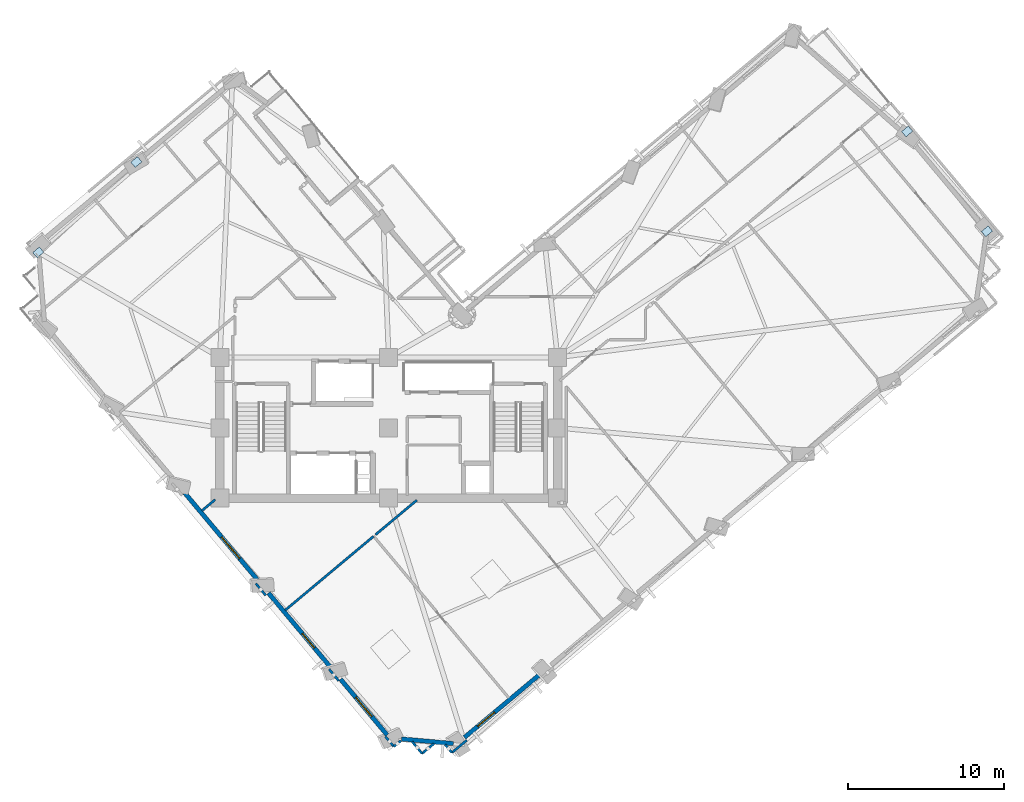
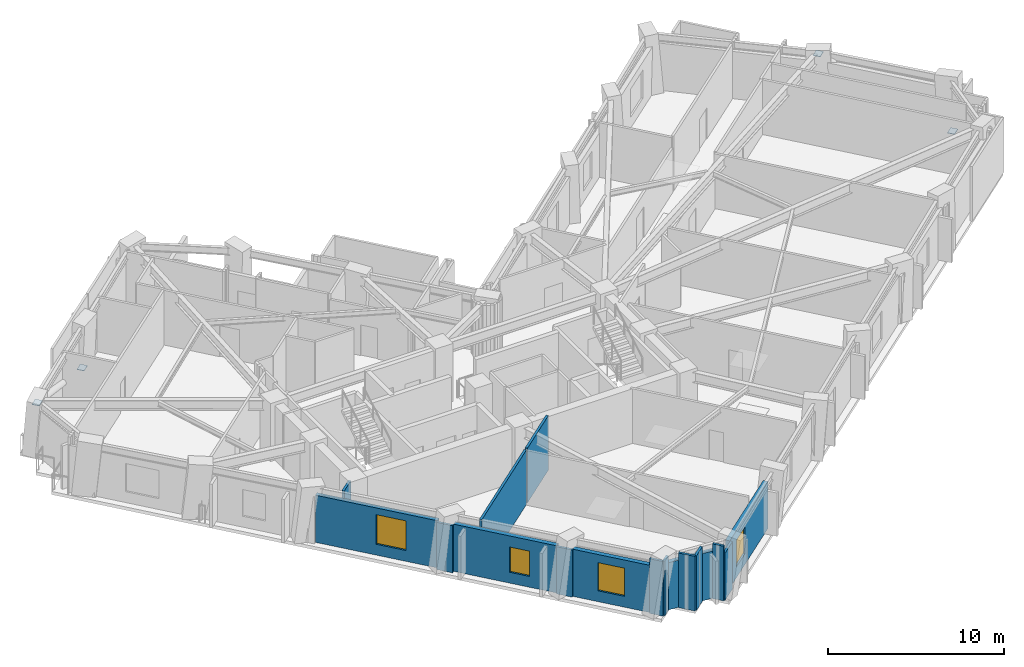
# One storey, part 5 of 14: 16 walls, 4 plates, 4 windows, 4 openings.
"""IFC4 building model written with IfcOpenShell, lengths in metres."""

from ifc_helpers import new_model, si_unit, direction, frame, frame_2d, origin, origin_2d, place, context, subcontext, project, spatial, rectangle, extrude, material, layer, layer_set, type_object, element, fill, save


model = new_model("IFC4")

# Units and contexts
model_context = context("Model", 3, precision=1e-05, world=origin(), true_north=direction((0.0, 1.0)))
body_context = subcontext(model_context, "Body", "Model", "MODEL_VIEW")
ifc_project = project(units=[si_unit("LENGTHUNIT", "METRE"), si_unit("AREAUNIT", "SQUARE_METRE"), si_unit("VOLUMEUNIT", "CUBIC_METRE"), si_unit("PLANEANGLEUNIT", "RADIAN"), si_unit("MASSUNIT", "GRAM", prefix="KILO")], contexts=[model_context])

# Site, building, storey
site_placement = place(None, origin())
site = spatial("IfcSite", under=ifc_project, at=site_placement, CompositionType="ELEMENT")
building_placement = place(site_placement, origin())
building = spatial("IfcBuilding", under=site, at=building_placement, Name="Gaonmaruhae Medical Tower", CompositionType="ELEMENT")
storey_placement = place(building_placement, frame((0.0, 0.0, 193.800048828125)))
storey = spatial("IfcBuildingStorey", under=building, at=storey_placement, Name="L46", CompositionType="ELEMENT", Elevation=193.800048828125)

# Plates
ifc_material_1 = material(Name="Steel HSA650 (650 MPa)", Category="steel")
ifc_layer_1 = layer(ifc_material_1, 0.028076171875)
ifc_layer_set_1 = layer_set([ifc_layer_1], Name="Steel HSA650 (650 MPa)")
plate_type = type_object("IfcPlateType", Name="GP-02 Tube Brace End Cap Gusset Plate", PredefinedType="USERDEFINED", material=ifc_layer_set_1)
for number, where, z_axis, x_axis, name in (
    (1, (63.067626953125, 24.86767578125, 0.23583984375), (0.0, 0.0, 1.0), (0.767165151815, 0.641449631569, 0.0), "L46 Gusset Cap Plate PLT-L46-PBR-E01A"),
    (2, (57.960693359375, 31.25634765625, 3.51611328125), (0.0, 0.0, 1.0), (0.756424550435, 0.654080957909, 0.0), "L46 Gusset Cap Plate PLT-L46-PBR-E01B"),
    (3, (8.657470703125, 29.2978515625, 0.23583984375), (0.0, 0.0, 1.0), (0.767165151815, 0.641449631569, 0.0), "L46 Gusset Cap Plate PLT-L46-PBR-N02A"),
    (4, (2.383544921875, 23.520263671875, 3.51611328125), (0.0, 0.0, 1.0), (0.756424550435, 0.654080957909, 0.0), "L46 Gusset Cap Plate PLT-L46-PBR-N02B"),
):
    element("IfcPlate", number, at=place(storey_placement, frame(where, z_axis=z_axis, x_axis=x_axis)), inside=storey, type_object=plate_type, Name=name, ObjectType="GUSSET_PLATE", PredefinedType="USERDEFINED", context=body_context, shape_type="SweptSolid", body=[
        extrude(rectangle(XDim=0.56005859375, YDim=0.43994140625, at=origin_2d()), origin(), (0.0, 0.0, 1.0), 0.028076171875),
    ])

# Wall, opening, window
ifc_material_2 = material(Name="Precast concrete C45/55", Category="concrete")
ifc_layer_2 = layer(ifc_material_2, 0.280029296875)
ifc_layer_set_2 = layer_set([ifc_layer_2], Name="Precast concrete C45/55")
wall_type_1 = type_object("IfcWallType", Name="EW-280 Upper Precast Masonry-Frame Facade Wall", PredefinedType="SOLIDWALL", material=ifc_layer_set_2)
wall_1_placement = place(storey_placement, frame((34.454345703125, -3.488525390625, 0.0), z_axis=(0.0, 0.0, 1.0), x_axis=(-0.76717337167, -0.641439800605, 0.0)))
wall_1 = element("IfcWall", 5, at=wall_1_placement, inside=storey, type_object=wall_type_1, Name="L46 Precast Masonry-Frame Wall S01-S02", PredefinedType="SOLIDWALL", context=body_context, shape_type="SweptSolid", body=[
    extrude(rectangle(XDim=6.269775390625, YDim=0.280029296875, at=frame_2d((3.134765625, 0.0))), origin(), (0.0, 0.0, 1.0), 3.264892578125),
])
opening_1_placement = place(wall_1_placement, frame((3.76416015625, 0.0, 0.75)))
opening_1 = element("IfcOpeningElement", 6, at=opening_1_placement, cuts=wall_1, Name="Opening WN-03", PredefinedType="OPENING", context=body_context, shape_type="SweptSolid", body=[
    extrude(rectangle(XDim=1.39990234375, YDim=1.85009765625, at=frame_2d((0.699951171875, 0.925048828125))), frame((0.0, 0.14990234375, 0.0), z_axis=(0.0, -1.0, 0.0), x_axis=(1.0, 0.0, 0.0)), (0.0, 0.0, 1.0), 0.300048828125),
])
ifc_material_3 = material(Name="Anodised aluminium and Low-E double glazing", Category="aluminium")
window_type_1 = type_object("IfcWindowType", Name="WN-03 Isolation Ward Punched Window 1400x1850", PartitioningType="SINGLE_PANEL", PredefinedType="WINDOW", material=ifc_material_3)
window_1_placement = place(opening_1_placement, origin())
window_1 = element("IfcWindow", 7, at=window_1_placement, inside=storey, type_object=window_type_1, Name="L46 Modular Facade Window S01", OverallHeight=1.85009765625, OverallWidth=1.39990234375, PartitioningType="SINGLE_PANEL", PredefinedType="WINDOW", context=body_context, shape_type="SweptSolid", body=[
    extrude(rectangle(XDim=1.39990234375, YDim=1.85009765625, at=frame_2d((0.699951171875, 0.925048828125))), frame((0.0, 0.030029296875, 0.0), z_axis=(0.0, -1.0, 0.0), x_axis=(1.0, 0.0, 0.0)), (0.0, 0.0, 1.0), 0.06005859375),
])
fill(opening_1, window_1)

wall_2_placement = place(storey_placement, frame((16.475830078125, 2.486572265625, 0.0), z_axis=(0.0, 0.0, 1.0), x_axis=(-0.641449443944, 0.767165308694, 0.0)))
wall_2 = element("IfcWall", 8, at=wall_2_placement, inside=storey, type_object=wall_type_1, Name="L46 Precast Masonry-Frame Wall W03-W04", PredefinedType="SOLIDWALL", context=body_context, shape_type="SweptSolid", body=[
    extrude(rectangle(XDim=7.360107421875, YDim=0.280029296875, at=frame_2d((3.68017578125, 0.0))), origin(), (0.0, 0.0, 1.0), 3.264892578125),
])
opening_2_placement = place(wall_2_placement, frame((1.8876953125, 0.0, 0.75)))
opening_2 = element("IfcOpeningElement", 9, at=opening_2_placement, cuts=wall_2, Name="Opening WN-04", PredefinedType="OPENING", context=body_context, shape_type="SweptSolid", body=[
    extrude(rectangle(XDim=1.800048828125, YDim=2.050048828125, at=frame_2d((0.89990234375, 1.02490234375))), frame((0.0, 0.14990234375, 0.0), z_axis=(0.0, -1.0, 0.0), x_axis=(1.0, 0.0, 0.0)), (0.0, 0.0, 1.0), 0.300048828125),
])
window_type_2 = type_object("IfcWindowType", Name="WN-04 Clinic & Consult Punched Window 1800x2050", PartitioningType="SINGLE_PANEL", PredefinedType="WINDOW", material=ifc_material_3)
window_2_placement = place(opening_2_placement, origin())
window_2 = element("IfcWindow", 10, at=window_2_placement, inside=storey, type_object=window_type_2, Name="L46 Modular Facade Window W03", OverallHeight=2.050048828125, OverallWidth=1.800048828125, PartitioningType="SINGLE_PANEL", PredefinedType="WINDOW", context=body_context, shape_type="SweptSolid", body=[
    extrude(rectangle(XDim=1.800048828125, YDim=2.050048828125, at=frame_2d((0.89990234375, 1.02490234375))), frame((0.0, 0.030029296875, 0.0), z_axis=(0.0, -1.0, 0.0), x_axis=(1.0, 0.0, 0.0)), (0.0, 0.0, 1.0), 0.06005859375),
])
fill(opening_2, window_2)

wall_3_placement = place(storey_placement, frame((21.1005859375, -3.044677734375, 0.0), z_axis=(0.0, 0.0, 1.0), x_axis=(-0.641441457666, 0.767171986185, 0.0)))
wall_3 = element("IfcWall", 11, at=wall_3_placement, inside=storey, type_object=wall_type_1, Name="L46 Precast Masonry-Frame Wall W04-W05", PredefinedType="SOLIDWALL", context=body_context, shape_type="SweptSolid", body=[
    extrude(rectangle(XDim=6.223388671875, YDim=0.280029296875, at=frame_2d((3.11181640625, 0.0))), origin(), (0.0, 0.0, 1.0), 3.264892578125),
])
opening_3_placement = place(wall_3_placement, frame((1.645263671875, 0.0, 0.75)))
opening_3 = element("IfcOpeningElement", 12, at=opening_3_placement, cuts=wall_3, Name="Opening WN-05", PredefinedType="OPENING", context=body_context, shape_type="SweptSolid", body=[
    extrude(rectangle(XDim=1.199951171875, YDim=1.75, at=frame_2d((0.60009765625, 0.875))), frame((0.0, 0.14990234375, 0.0), z_axis=(0.0, -1.0, 0.0), x_axis=(1.0, 0.0, 0.0)), (0.0, 0.0, 1.0), 0.300048828125),
])
window_type_3 = type_object("IfcWindowType", Name="WN-05 Support & Staff Punched Window 1200x1750", PartitioningType="SINGLE_PANEL", PredefinedType="WINDOW", material=ifc_material_3)
window_3_placement = place(opening_3_placement, origin())
window_3 = element("IfcWindow", 13, at=window_3_placement, inside=storey, type_object=window_type_3, Name="L46 Modular Facade Window W04", OverallHeight=1.75, OverallWidth=1.199951171875, PartitioningType="SINGLE_PANEL", PredefinedType="WINDOW", context=body_context, shape_type="SweptSolid", body=[
    extrude(rectangle(XDim=1.199951171875, YDim=1.75, at=frame_2d((0.60009765625, 0.875))), frame((0.0, 0.030029296875, 0.0), z_axis=(0.0, -1.0, 0.0), x_axis=(1.0, 0.0, 0.0)), (0.0, 0.0, 1.0), 0.06005859375),
])
fill(opening_3, window_3)

wall_4_placement = place(storey_placement, frame((24.701171875, -7.350830078125, 0.0), z_axis=(0.0, 0.0, 1.0), x_axis=(-0.641423680611, 0.767186849438, 0.0)))
wall_4 = element("IfcWall", 14, at=wall_4_placement, inside=storey, type_object=wall_type_1, Name="L46 Precast Masonry-Frame Wall W05-W06", PredefinedType="SOLIDWALL", context=body_context, shape_type="SweptSolid", body=[
    extrude(rectangle(XDim=4.6474609375, YDim=0.280029296875, at=frame_2d((2.32373046875, 0.0))), origin(), (0.0, 0.0, 1.0), 3.264892578125),
])
opening_4_placement = place(wall_4_placement, frame((1.527099609375, 0.0, 0.75)))
opening_4 = element("IfcOpeningElement", 15, at=opening_4_placement, cuts=wall_4, Name="Opening WN-01", PredefinedType="OPENING", context=body_context, shape_type="SweptSolid", body=[
    extrude(rectangle(XDim=1.60009765625, YDim=1.949951171875, at=frame_2d((0.800048828125, 0.97509765625))), frame((0.0, 0.14990234375, 0.0), z_axis=(0.0, -1.0, 0.0), x_axis=(1.0, 0.0, 0.0)), (0.0, 0.0, 1.0), 0.300048828125),
])
window_type_4 = type_object("IfcWindowType", Name="WN-01 Ward Punched Acoustic Window 1600x1950", PartitioningType="SINGLE_PANEL", PredefinedType="WINDOW", material=ifc_material_3)
window_4_placement = place(opening_4_placement, origin())
window_4 = element("IfcWindow", 16, at=window_4_placement, inside=storey, type_object=window_type_4, Name="L46 Modular Facade Window W05", OverallHeight=1.949951171875, OverallWidth=1.60009765625, PartitioningType="SINGLE_PANEL", PredefinedType="WINDOW", context=body_context, shape_type="SweptSolid", body=[
    extrude(rectangle(XDim=1.60009765625, YDim=1.949951171875, at=frame_2d((0.800048828125, 0.97509765625))), frame((0.0, 0.030029296875, 0.0), z_axis=(0.0, -1.0, 0.0), x_axis=(1.0, 0.0, 0.0)), (0.0, 0.0, 1.0), 0.06005859375),
])
fill(opening_4, window_4)

# Walls
wall_5_placement = place(storey_placement, frame((28.931640625, -7.90087890625, 0.0), z_axis=(0.0, 0.0, 1.0), x_axis=(-0.99604653338, 0.088833008178, 0.0)))
element("IfcWall", 17, at=wall_5_placement, inside=storey, type_object=wall_type_1, Name="L46 Precast Masonry-Frame Wall W06-S01", PredefinedType="SOLIDWALL", context=body_context, shape_type="SweptSolid", body=[
    extrude(rectangle(XDim=3.32275390625, YDim=0.280029296875, at=frame_2d((1.661376953125, 0.0))), origin(), (0.0, 0.0, 1.0), 3.264892578125),
])
ifc_material_4 = material(Name="Gypsum board partition", Category="gypsum")
ifc_layer_3 = layer(ifc_material_4, 0.14990234375)
ifc_layer_set_3 = layer_set([ifc_layer_3], Name="Gypsum board partition")
wall_type_2 = type_object("IfcWallType", Name="PW-150 Rated Clinical Corridor Partition", PredefinedType="PARTITIONING", material=ifc_layer_set_3)
wall_6_placement = place(storey_placement, frame((26.93310546875, -8.5390625, 0.0), z_axis=(0.0, 0.0, 1.0), x_axis=(-0.641473151703, 0.767145485318, 0.0)))
element("IfcWall", 18, at=wall_6_placement, inside=storey, type_object=wall_type_2, Name="L46 Interior Partition L46-SUP01-7", PredefinedType="PARTITIONING", context=body_context, shape_type="SweptSolid", body=[
    extrude(rectangle(XDim=0.98681640625, YDim=0.14990234375, at=frame_2d((0.493408203125, 0.0))), origin(), (0.0, 0.0, 1.0), 3.780029296875),
])
wall_7_placement = place(storey_placement, frame((25.58203125, -7.712890625, 0.0), z_axis=(0.0, 0.0, 1.0), x_axis=(-0.766668212118, -0.64204349738, 0.0)))
element("IfcWall", 19, at=wall_7_placement, inside=storey, type_object=wall_type_2, Name="L46 Interior Partition L46-SUP01-8", PredefinedType="PARTITIONING", context=body_context, shape_type="SweptSolid", body=[
    extrude(rectangle(XDim=0.593505859375, YDim=0.14990234375, at=frame_2d((0.296875, 0.0))), origin(), (0.0, 0.0, 1.0), 3.780029296875),
])
wall_8_placement = place(storey_placement, frame((25.126953125, -8.093994140625, 0.0), z_axis=(0.0, 0.0, 1.0), x_axis=(-0.641493258939, 0.767128671565, 0.0)))
element("IfcWall", 20, at=wall_8_placement, inside=storey, type_object=wall_type_2, Name="L46 Interior Partition L46-SUP01-9", PredefinedType="PARTITIONING", context=body_context, shape_type="SweptSolid", body=[
    extrude(rectangle(XDim=0.84326171875, YDim=0.14990234375, at=frame_2d((0.421630859375, 0.0))), origin(), (0.0, 0.0, 1.0), 3.780029296875),
])
wall_9_placement = place(storey_placement, frame((21.60498046875, -3.882080078125, 0.0), z_axis=(0.0, 0.0, 1.0), x_axis=(-0.641054564198, 0.767495306644, 0.0)))
element("IfcWall", 21, at=wall_9_placement, inside=storey, type_object=wall_type_2, Name="L46 Interior Partition L46-SUP01-10", PredefinedType="PARTITIONING", context=body_context, shape_type="SweptSolid", body=[
    extrude(rectangle(XDim=0.96533203125, YDim=0.14990234375, at=frame_2d((0.482666015625, 0.0))), origin(), (0.0, 0.0, 1.0), 3.264892578125),
])
wall_10_placement = place(storey_placement, frame((18.177978515625, 0.6298828125, 0.0), z_axis=(0.0, 0.0, 1.0), x_axis=(0.767137584738, 0.641482599984, 0.0)))
element("IfcWall", 22, at=wall_10_placement, inside=storey, type_object=wall_type_2, Name="L46 Interior Partition L46-SUP01-11", PredefinedType="PARTITIONING", context=body_context, shape_type="SweptSolid", body=[
    extrude(rectangle(XDim=7.37548828125, YDim=0.14990234375, at=frame_2d((3.687744140625, 0.0))), origin(), (0.0, 0.0, 1.0), 3.780029296875),
])
wall_11_placement = place(storey_placement, frame((29.7919921875, -7.68701171875, 0.0), z_axis=(0.0, 0.0, 1.0), x_axis=(-0.767235472551, -0.641365519544, 0.0)))
element("IfcWall", 23, at=wall_11_placement, inside=storey, type_object=wall_type_2, Name="L46 Interior Partition L46-SUP01-13", PredefinedType="PARTITIONING", context=body_context, shape_type="SweptSolid", body=[
    extrude(rectangle(XDim=1.239501953125, YDim=0.14990234375, at=frame_2d((0.61962890625, 0.0))), origin(), (0.0, 0.0, 1.0), 3.264892578125),
])
wall_12_placement = place(storey_placement, frame((28.841064453125, -8.48193359375, 0.0), z_axis=(0.0, 0.0, 1.0), x_axis=(-0.641371214801, 0.767230711602, 0.0)))
element("IfcWall", 24, at=wall_12_placement, inside=storey, type_object=wall_type_2, Name="L46 Interior Partition L46-SUP01-14", PredefinedType="PARTITIONING", context=body_context, shape_type="SweptSolid", body=[
    extrude(rectangle(XDim=0.667236328125, YDim=0.14990234375, at=frame_2d((0.33349609375, 0.0))), origin(), (0.0, 0.0, 1.0), 3.780029296875),
])
wall_13_placement = place(storey_placement, frame((27.69091796875, -7.906005859375, 0.0), z_axis=(0.0, 0.0, 1.0), x_axis=(-0.767450614237, -0.641108067885, 0.0)))
element("IfcWall", 25, at=wall_13_placement, inside=storey, type_object=wall_type_2, Name="L46 Interior Partition L46-SUP01-15", PredefinedType="PARTITIONING", context=body_context, shape_type="SweptSolid", body=[
    extrude(rectangle(XDim=0.987548828125, YDim=0.14990234375, at=frame_2d((0.49365234375, 0.0))), origin(), (0.0, 0.0, 1.0), 3.780029296875),
])
wall_14_placement = place(storey_placement, frame((23.958984375, 5.462890625, 0.0), z_axis=(0.0, 0.0, 1.0), x_axis=(0.767082571844, 0.64154838319, 0.0)))
element("IfcWall", 26, at=wall_14_placement, inside=storey, type_object=wall_type_2, Name="L46 Interior Partition L46-SUP02-17", PredefinedType="PARTITIONING", context=body_context, shape_type="SweptSolid", body=[
    extrude(rectangle(XDim=3.4482421875, YDim=0.14990234375, at=frame_2d((1.72412109375, 0.0))), origin(), (0.0, 0.0, 1.0), 3.780029296875),
])
wall_15_placement = place(storey_placement, frame((16.931884765625, 1.58203125, 0.0), z_axis=(0.0, 0.0, 1.0), x_axis=(-0.64132752708, 0.767267230507, 0.0)))
element("IfcWall", 27, at=wall_15_placement, inside=storey, type_object=wall_type_2, Name="L46 Interior Partition L46-WOF07-37", PredefinedType="PARTITIONING", context=body_context, shape_type="SweptSolid", body=[
    extrude(rectangle(XDim=0.98681640625, YDim=0.14990234375, at=frame_2d((0.493408203125, 0.0))), origin(), (0.0, 0.0, 1.0), 3.264892578125),
])
wall_16_placement = place(storey_placement, frame((12.85400390625, 6.998046875, 0.0), z_axis=(0.0, 0.0, 1.0), x_axis=(0.767294778418, 0.641294568052, 0.0)))
element("IfcWall", 28, at=wall_16_placement, inside=storey, type_object=wall_type_2, Name="L46 Interior Partition L46-WOF07-38", PredefinedType="PARTITIONING", context=body_context, shape_type="SweptSolid", body=[
    extrude(rectangle(XDim=1.1025390625, YDim=0.14990234375, at=frame_2d((0.55126953125, 0.0))), origin(), (0.0, 0.0, 1.0), 3.780029296875),
])

save(model, "model.ifc")
